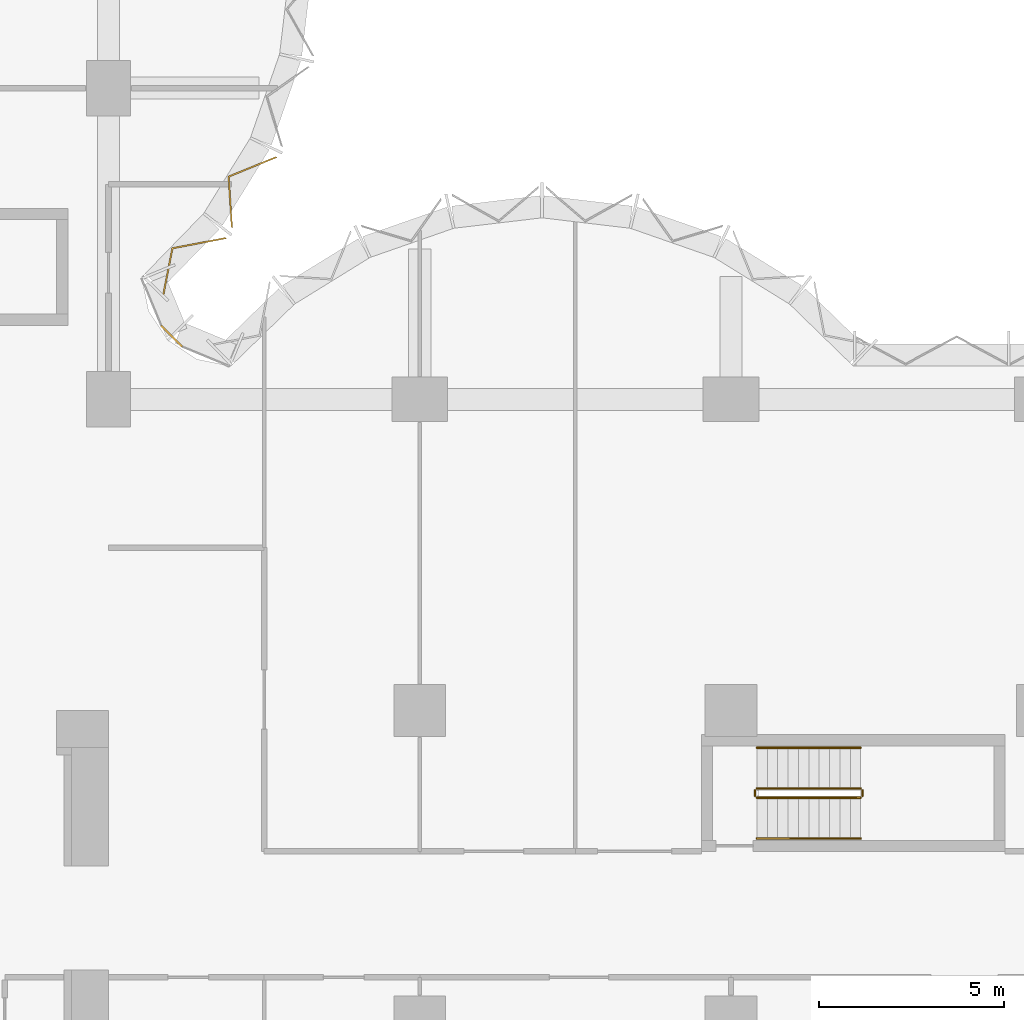
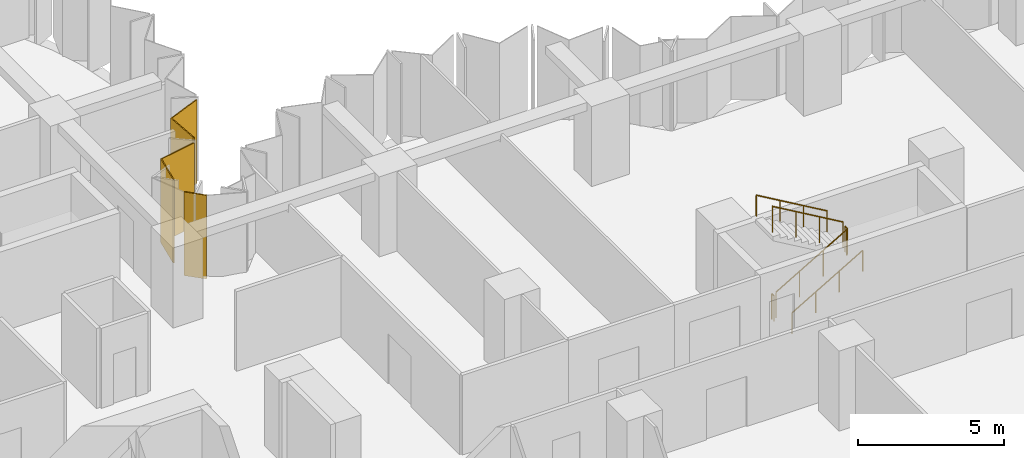
# One storey, part 14 of 15: 6 railings, 3 coverings, 2 elements without a shape of their own.
"""IFC4 building model written with IfcOpenShell, lengths in metres."""

from ifc_helpers import new_model, si_unit, direction, frame, origin, origin_2d, place, context, subcontext, project, spatial, polyline, circle, outline, extrude, material, layer, layer_set, type_object, element, aggregate, save


model = new_model("IFC4")

# Units and contexts
model_context = context("Model", 3, precision=1e-05, world=origin(), true_north=direction((0.0, 1.0)))
body_context = subcontext(model_context, "Body", "Model", "MODEL_VIEW")
ifc_project = project(units=[si_unit("LENGTHUNIT", "METRE"), si_unit("AREAUNIT", "SQUARE_METRE"), si_unit("VOLUMEUNIT", "CUBIC_METRE"), si_unit("PLANEANGLEUNIT", "RADIAN"), si_unit("MASSUNIT", "GRAM", prefix="KILO")], contexts=[model_context])

# Site, building, storey
site_placement = place(None, origin())
site = spatial("IfcSite", under=ifc_project, at=site_placement, CompositionType="ELEMENT")
building_placement = place(site_placement, origin())
building = spatial("IfcBuilding", under=site, at=building_placement, Name="Brevane Broadcast Tower", CompositionType="ELEMENT")
storey_placement = place(building_placement, frame((0.0, 0.0, 65.300048828125)))
storey = spatial("IfcBuildingStorey", under=building, at=storey_placement, Name="L14", CompositionType="ELEMENT", Elevation=65.300048828125)

# Railings
ifc_material_1 = material(Name="Steel S355", Category="steel")
railing_type_1 = type_object("IfcRailingType", Name="Exit stair guard", PredefinedType="GUARDRAIL", material=ifc_material_1)
railing_1_placement = place(storey_placement, frame((42.699951171875, 14.449951171875, 0.16357421875)))
element("IfcRailing", 1, at=railing_1_placement, inside=storey, type_object=railing_type_1, Name="L14 ST-4 stair guard 1", PredefinedType="GUARDRAIL", context=body_context, shape_type="SweptSolid", body=[
    extrude(circle(Radius=0.02392578125, at=origin_2d()), frame((0.0, 0.0, 1.076171875), z_axis=(0.863360870873, 0.0, 0.504586966384), x_axis=(0.0, 1.0, 0.0)), (0.0, 0.0, 1.0), 3.2431640625),
    extrude(circle(Radius=0.02099609375, at=origin_2d()), origin(), (0.0, 0.0, 1.0), 1.052001953125),
    extrude(circle(Radius=0.02099609375, at=origin_2d()), frame((0.933349609375, 0.0, 0.54541015625)), (0.0, 0.0, 1.0), 1.052001953125),
    extrude(circle(Radius=0.02099609375, at=origin_2d()), frame((1.86669921875, 0.0, 1.091064453125)), (0.0, 0.0, 1.0), 1.052001953125),
    extrude(circle(Radius=0.02099609375, at=origin_2d()), frame((2.800048828125, 0.0, 1.636474609375)), (0.0, 0.0, 1.0), 1.052001953125),
])
railing_2_placement = place(storey_placement, frame((45.550048828125, 14.5, 1.800048828125)))
element("IfcRailing", 2, at=railing_2_placement, inside=storey, type_object=railing_type_1, Name="L14 ST-4 stair guard 2", PredefinedType="GUARDRAIL", context=body_context, shape_type="SweptSolid", body=[
    extrude(circle(Radius=0.02392578125, at=origin_2d()), frame((0.0, 0.0, 1.076171875), z_axis=(0.0, 1.0, 0.0), x_axis=(-1.0, 0.0, 0.0)), (0.0, 0.0, 1.0), 0.14990234375),
    extrude(circle(Radius=0.02099609375, at=origin_2d()), origin(), (0.0, 0.0, 1.0), 1.052001953125),
    extrude(circle(Radius=0.02099609375, at=origin_2d()), frame((0.0, 0.14990234375, 0.0)), (0.0, 0.0, 1.0), 1.052001953125),
])
railing_3_placement = place(storey_placement, frame((45.5, 14.699951171875, 1.963623046875)))
element("IfcRailing", 3, at=railing_3_placement, inside=storey, type_object=railing_type_1, Name="L14 ST-4 stair guard 3", PredefinedType="GUARDRAIL", context=body_context, shape_type="SweptSolid", body=[
    extrude(circle(Radius=0.02392578125, at=origin_2d()), frame((0.0, 0.0, 1.076171875), z_axis=(-0.863393664356, 0.0, 0.504530851732), x_axis=(0.0, -1.0, 0.0)), (0.0, 0.0, 1.0), 3.2431640625),
    extrude(circle(Radius=0.02099609375, at=origin_2d()), origin(), (0.0, 0.0, 1.0), 1.052001953125),
    extrude(circle(Radius=0.02099609375, at=origin_2d()), frame((-0.933349609375, 0.0, 0.54541015625)), (0.0, 0.0, 1.0), 1.052001953125),
    extrude(circle(Radius=0.02099609375, at=origin_2d()), frame((-1.86669921875, 0.0, 1.0908203125)), (0.0, 0.0, 1.0), 1.052001953125),
    extrude(circle(Radius=0.02099609375, at=origin_2d()), frame((-2.800048828125, 0.0, 1.63623046875)), (0.0, 0.0, 1.0), 1.052001953125),
])
railing_4_placement = place(storey_placement, frame((42.64990234375, 14.5, 0.0)))
element("IfcRailing", 4, at=railing_4_placement, inside=storey, type_object=railing_type_1, Name="L14 ST-4 stair guard 4", PredefinedType="GUARDRAIL", context=body_context, shape_type="SweptSolid", body=[
    extrude(circle(Radius=0.02392578125, at=origin_2d()), frame((0.0, 0.0, 1.076171875), z_axis=(0.0, 1.0, 0.0), x_axis=(-1.0, 0.0, 0.0)), (0.0, 0.0, 1.0), 0.14990234375),
    extrude(circle(Radius=0.02099609375, at=origin_2d()), origin(), (0.0, 0.0, 1.0), 1.052001953125),
    extrude(circle(Radius=0.02099609375, at=origin_2d()), frame((0.0, 0.14990234375, 0.0)), (0.0, 0.0, 1.0), 1.052001953125),
])
railing_type_2 = type_object("IfcRailingType", Name="Exit stair handrail", PredefinedType="HANDRAIL", material=ifc_material_1)
railing_5_placement = place(storey_placement, frame((42.699951171875, 13.35009765625, 0.16357421875)))
element("IfcRailing", 5, at=railing_5_placement, inside=storey, type_object=railing_type_2, Name="L14 ST-4 stair handrail 1", PredefinedType="HANDRAIL", context=body_context, shape_type="SweptSolid", body=[
    extrude(circle(Radius=0.02392578125, at=origin_2d()), frame((0.0, 0.0, 0.8759765625), z_axis=(0.863360870873, 0.0, 0.504586966384), x_axis=(0.0, 1.0, 0.0)), (0.0, 0.0, 1.0), 3.2431640625),
    extrude(circle(Radius=0.02099609375, at=origin_2d()), origin(), (0.0, 0.0, 1.0), 0.851806640625),
    extrude(circle(Radius=0.02099609375, at=origin_2d()), frame((0.933349609375, 0.0, 0.54541015625)), (0.0, 0.0, 1.0), 0.851806640625),
    extrude(circle(Radius=0.02099609375, at=origin_2d()), frame((1.86669921875, 0.0, 1.091064453125)), (0.0, 0.0, 1.0), 0.851806640625),
    extrude(circle(Radius=0.02099609375, at=origin_2d()), frame((2.800048828125, 0.0, 1.636474609375)), (0.0, 0.0, 1.0), 0.851806640625),
])
railing_6_placement = place(storey_placement, frame((45.5, 15.800048828125, 1.963623046875)))
element("IfcRailing", 6, at=railing_6_placement, inside=storey, type_object=railing_type_2, Name="L14 ST-4 stair handrail 2", PredefinedType="HANDRAIL", context=body_context, shape_type="SweptSolid", body=[
    extrude(circle(Radius=0.02392578125, at=origin_2d()), frame((0.0, 0.0, 0.8759765625), z_axis=(-0.863393664356, 0.0, 0.504530851732), x_axis=(0.0, -1.0, 0.0)), (0.0, 0.0, 1.0), 3.2431640625),
    extrude(circle(Radius=0.02099609375, at=origin_2d()), origin(), (0.0, 0.0, 1.0), 0.851806640625),
    extrude(circle(Radius=0.02099609375, at=origin_2d()), frame((-0.933349609375, 0.0, 0.54541015625)), (0.0, 0.0, 1.0), 0.851806640625),
    extrude(circle(Radius=0.02099609375, at=origin_2d()), frame((-1.86669921875, 0.0, 1.0908203125)), (0.0, 0.0, 1.0), 0.851806640625),
    extrude(circle(Radius=0.02099609375, at=origin_2d()), frame((-2.800048828125, 0.0, 1.63623046875)), (0.0, 0.0, 1.0), 0.851806640625),
])

# Curtain wall, coverings
ifc_material_2 = material(Name="Aluminium 6063-T6 bronze anodised", Category="aluminium")
curtain_wall_type = type_object("IfcCurtainWallType", Name="CW-1 curtain wall", PredefinedType="NOTDEFINED", material=ifc_material_2)
curtain_wall_1_placement = place(storey_placement, origin())
curtain_wall_1 = element("IfcCurtainWall", 7, at=curtain_wall_1_placement, inside=storey, type_object=curtain_wall_type, Name="CW-1 typical tilted unit L14 north bow", PredefinedType="NOTDEFINED")
ifc_material_3 = material(Name="Back-painted bronze glass shadow-box", Category="glass")
ifc_layer = layer(ifc_material_3, 0.0400390625)
ifc_layer_set = layer_set([ifc_layer], Name="Shadow-box panel 40")
covering_type = type_object("IfcCoveringType", Name="Shadow-box panel 40", PredefinedType="CLADDING", material=ifc_layer_set)
covering_1_placement = place(storey_placement, frame((0.0, 0.0, -0.150146484375)))
covering_1 = element("IfcCovering", 8, at=covering_1_placement, type_object=covering_type, Name="Shadow-box panel", PredefinedType="CLADDING", context=body_context, shape_type="SweptSolid", body=[
    extrude(outline(polyline([(26.656005859375, 28.008544921875), (26.690185546875, 27.975341796875), (26.9423828125, 29.2607421875), (28.3857421875, 29.535888671875), (28.34375, 29.568603515625), (26.908203125, 29.294921875), (26.656005859375, 28.008544921875)])), origin(), (0.0, 0.0, 1.0), 3.5),
])
covering_2_placement = place(storey_placement, frame((0.0, 0.0, -0.150146484375)))
covering_2 = element("IfcCovering", 9, at=covering_2_placement, type_object=covering_type, Name="Shadow-box panel", PredefinedType="CLADDING", context=body_context, shape_type="SweptSolid", body=[
    extrude(outline(polyline([(28.5087890625, 29.849609375), (28.551025390625, 29.816650390625), (28.462890625, 31.198486328125), (29.76171875, 31.729736328125), (29.712890625, 31.753173828125), (28.42138671875, 31.224609375), (28.5087890625, 29.849609375)])), origin(), (0.0, 0.0, 1.0), 3.5),
])
aggregate(curtain_wall_1, [covering_1, covering_2])

# Curtain wall, covering
curtain_wall_2_placement = place(storey_placement, origin())
curtain_wall_2 = element("IfcCurtainWall", 10, at=curtain_wall_2_placement, inside=storey, type_object=curtain_wall_type, Name="CW-1 typical tilted unit L14 inner corner", PredefinedType="NOTDEFINED")
covering_3_placement = place(storey_placement, frame((0.0, 0.0, -0.150146484375)))
covering_3 = element("IfcCovering", 11, at=covering_3_placement, type_object=covering_type, Name="Closure panel", PredefinedType="CLADDING", context=body_context, shape_type="SweptSolid", body=[
    extrude(outline(polyline([(27.17138671875, 26.60498046875), (27.2021484375, 26.635498046875), (26.635498046875, 27.2021484375), (26.60498046875, 27.17138671875), (27.17138671875, 26.60498046875)])), origin(), (0.0, 0.0, 1.0), 3.5),
])
aggregate(curtain_wall_2, [covering_3])

save(model, "model.ifc")
